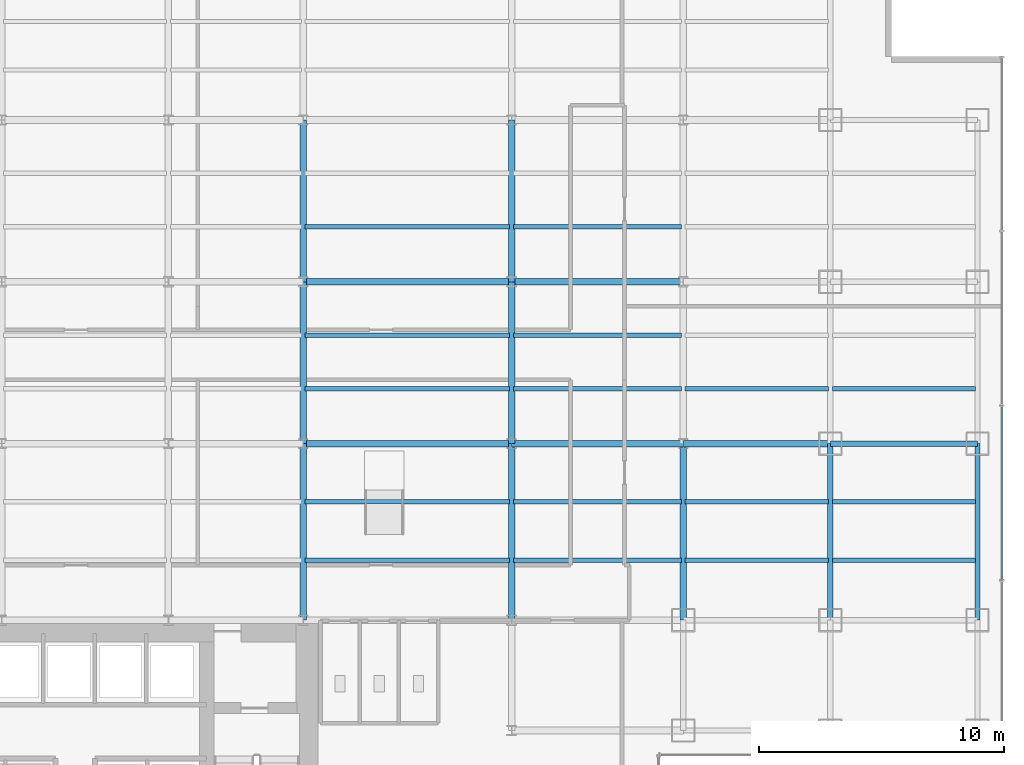
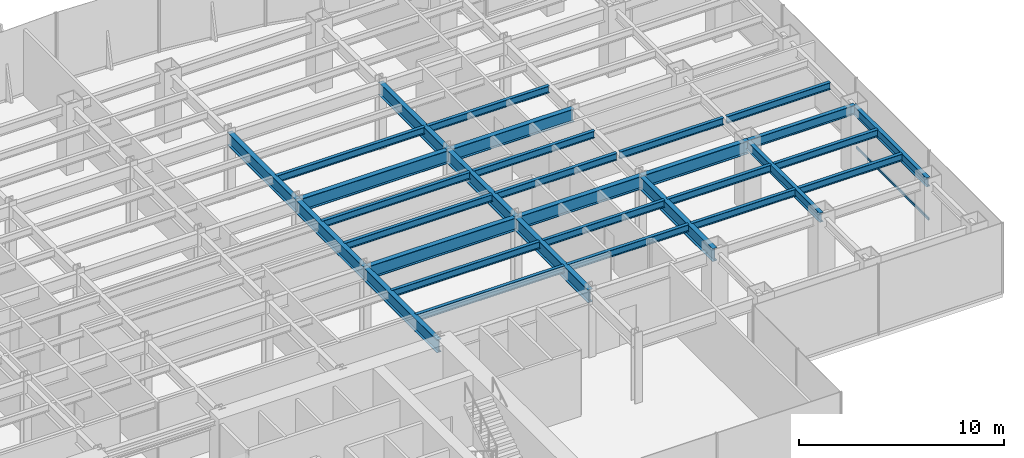
# One storey, part 12 of 35: 31 beams, 1 member, 1 element without a shape of its own.
"""IFC4 building model written with IfcOpenShell, lengths in metres."""

from ifc_helpers import new_model, si_unit, derived_unit, direction, frame, origin, origin_2d, place, context, subcontext, project, spatial, hollow_rectangle, i_section, extrude, source, transform, mapped, material, material_profile, profile_set, type_object, element, aggregate, save


model = new_model("IFC4")

# Units and contexts
model_context = context("Model", 3, precision=1e-05, world=origin(), true_north=direction((0.0, 1.0)))
body_context = subcontext(model_context, "Body", "Model", "MODEL_VIEW")
ifc_project = project(units=[si_unit("LENGTHUNIT", "METRE"), si_unit("AREAUNIT", "SQUARE_METRE"), si_unit("VOLUMEUNIT", "CUBIC_METRE"), si_unit("PLANEANGLEUNIT", "RADIAN"), si_unit("MASSUNIT", "GRAM", prefix="KILO"), derived_unit("THERMALTRANSMITTANCEUNIT", [(si_unit("POWERUNIT", "WATT"), 1), (si_unit("LENGTHUNIT", "METRE"), -2), (si_unit("THERMODYNAMICTEMPERATUREUNIT", "KELVIN"), -1)])], contexts=[model_context])

# Site, building, storey
site_placement = place(None, origin())
site = spatial("IfcSite", under=ifc_project, at=site_placement, CompositionType="ELEMENT")
building_placement = place(site_placement, origin())
building = spatial("IfcBuilding", under=site, at=building_placement, Name="Skarnbrae Concourse Arena and Tower", CompositionType="ELEMENT")
storey_placement = place(building_placement, frame((0.0, 0.0, 79.949951171875)))
storey = spatial("IfcBuildingStorey", under=building, at=storey_placement, Name="L19", CompositionType="ELEMENT", Elevation=79.949951171875)

# Beams
ifc_material_1 = material(Name="Steel CSA G40.21 350W", Category="steel")
ifc_material_profile_1 = material_profile(ifc_material_1, i_section(OverallWidth=0.26806640625, OverallDepth=0.77001953125, WebThickness=0.015625, FlangeThickness=0.025390625, at=origin_2d()), Name="W760X196")
ifc_profile_set_1 = profile_set([ifc_material_profile_1], Name="Steel CSA G40.21 350W")
beam_type_1 = type_object("IfcBeamType", Name="BM-GIRD-W760X196", PredefinedType="BEAM", material=ifc_profile_set_1)
shared_shape_1 = source(origin(), body_context, "Body", "SweptSolid", [
    extrude(i_section(OverallWidth=0.26806640625, OverallDepth=0.77001953125, WebThickness=0.015625, FlangeThickness=0.025390625, at=origin_2d()), origin(), (0.0, 0.0, 1.0), 7.0),
])
for number, where, z_axis, x_axis, name in (
    (1, (42.0, 21.199951171875, 3.51513671875), (1.0, 0.0, 0.0), (0.0, 1.0, 0.0), "L19 Primary E-W girder Y21.2-7"),
    (2, (42.0, 27.800048828125, 3.51513671875), (1.0, 0.0, 0.0), (0.0, 1.0, 0.0), "L19 Primary E-W girder Y27.8-7"),
):
    element("IfcBeam", number, at=place(storey_placement, frame(where, z_axis=z_axis, x_axis=x_axis)), inside=storey, type_object=beam_type_1, Name=name, PredefinedType="BEAM", context=body_context, shape_type="MappedRepresentation", body=[
        mapped(shared_shape_1, transform((0.0, 0.0, 0.0))),
    ])
ifc_material_profile_2 = material_profile(ifc_material_1, i_section(OverallWidth=0.214111328125, OverallDepth=0.549072265625, WebThickness=0.0146484375, FlangeThickness=0.023681640625, at=origin_2d()), Name="W530X138")
ifc_profile_set_2 = profile_set([ifc_material_profile_2], Name="Steel CSA G40.21 350W")
beam_type_2 = type_object("IfcBeamType", Name="BM-SPAN-W530X138", PredefinedType="SPANDREL", material=ifc_profile_set_2)
shared_shape_2 = source(origin(), body_context, "Body", "SweptSolid", [
    extrude(i_section(OverallWidth=0.214111328125, OverallDepth=0.549072265625, WebThickness=0.0146484375, FlangeThickness=0.023681640625, at=origin_2d()), origin(), (0.0, 0.0, 1.0), 6.0),
])
beam_1_placement = place(storey_placement, frame((55.0, 21.199951171875, 3.62548828125), z_axis=(1.0, 0.0, 0.0), x_axis=(0.0, 1.0, 0.0)))
element("IfcBeam", 3, at=beam_1_placement, inside=storey, type_object=beam_type_2, Name="L19 Perimeter spandrel Y21.2-9", PredefinedType="SPANDREL", context=body_context, shape_type="MappedRepresentation", body=[
    mapped(shared_shape_2, transform((0.0, 0.0, 0.0))),
])
shared_shape_3 = source(origin(), body_context, "Body", "SweptSolid", [
    extrude(i_section(OverallWidth=0.26806640625, OverallDepth=0.77001953125, WebThickness=0.015625, FlangeThickness=0.025390625, at=origin_2d()), origin(), (0.0, 0.0, 1.0), 6.60009765625),
])
for number, where, z_axis, x_axis, name in (
    (4, (33.5, 21.199951171875, 3.51513671875), (0.0, 1.0, 0.0), (-1.0, 0.0, 0.0), "L19 Primary N-S girder X33.5-2"),
    (5, (42.0, 21.199951171875, 3.51513671875), (0.0, 1.0, 0.0), (-1.0, 0.0, 0.0), "L19 Primary N-S girder X42.0-3"),
):
    element("IfcBeam", number, at=place(storey_placement, frame(where, z_axis=z_axis, x_axis=x_axis)), inside=storey, type_object=beam_type_1, Name=name, PredefinedType="BEAM", context=body_context, shape_type="MappedRepresentation", body=[
        mapped(shared_shape_3, transform((0.0, 0.0, 0.0))),
    ])
shared_shape_4 = source(origin(), body_context, "Body", "SweptSolid", [
    extrude(i_section(OverallWidth=0.26806640625, OverallDepth=0.77001953125, WebThickness=0.015625, FlangeThickness=0.025390625, at=origin_2d()), origin(), (0.0, 0.0, 1.0), 8.5),
])
for number, where, z_axis, x_axis, name in (
    (6, (33.5, 21.199951171875, 3.51513671875), (1.0, 0.0, 0.0), (0.0, 1.0, 0.0), "L19 Primary E-W girder Y21.2-6"),
    (7, (33.5, 27.800048828125, 3.51513671875), (1.0, 0.0, 0.0), (0.0, 1.0, 0.0), "L19 Primary E-W girder Y27.8-6"),
):
    element("IfcBeam", number, at=place(storey_placement, frame(where, z_axis=z_axis, x_axis=x_axis)), inside=storey, type_object=beam_type_1, Name=name, PredefinedType="BEAM", context=body_context, shape_type="MappedRepresentation", body=[
        mapped(shared_shape_4, transform((0.0, 0.0, 0.0))),
    ])
shared_shape_5 = source(origin(), body_context, "Body", "SweptSolid", [
    extrude(i_section(OverallWidth=0.26806640625, OverallDepth=0.77001953125, WebThickness=0.015625, FlangeThickness=0.025390625, at=origin_2d()), origin(), (0.0, 0.0, 1.0), 6.0),
])
beam_2_placement = place(storey_placement, frame((49.0, 21.199951171875, 3.51513671875), z_axis=(1.0, 0.0, 0.0), x_axis=(0.0, 1.0, 0.0)))
element("IfcBeam", 8, at=beam_2_placement, inside=storey, type_object=beam_type_1, Name="L19 Primary E-W girder Y21.2-8", PredefinedType="BEAM", context=body_context, shape_type="MappedRepresentation", body=[
    mapped(shared_shape_5, transform((0.0, 0.0, 0.0))),
])
shared_shape_6 = source(origin(), body_context, "Body", "SweptSolid", [
    extrude(i_section(OverallWidth=0.214111328125, OverallDepth=0.549072265625, WebThickness=0.0146484375, FlangeThickness=0.023681640625, at=origin_2d()), origin(), (0.0, 0.0, 1.0), 7.199951171875),
])
for number, where, z_axis, x_axis, name in (
    (9, (55.0, 14.0, 3.62548828125), (0.0, 1.0, 0.0), (-1.0, 0.0, 0.0), "L19 Perimeter spandrel X55.0-2"),
    (10, (61.0, 14.0, 3.62548828125), (0.0, 1.0, 0.0), (-1.0, 0.0, 0.0), "L19 Perimeter spandrel X61.0-2"),
):
    element("IfcBeam", number, at=place(storey_placement, frame(where, z_axis=z_axis, x_axis=x_axis)), inside=storey, type_object=beam_type_2, Name=name, PredefinedType="SPANDREL", context=body_context, shape_type="MappedRepresentation", body=[
        mapped(shared_shape_6, transform((0.0, 0.0, 0.0))),
    ])
shared_shape_7 = source(origin(), body_context, "Body", "SweptSolid", [
    extrude(i_section(OverallWidth=0.26806640625, OverallDepth=0.77001953125, WebThickness=0.015625, FlangeThickness=0.025390625, at=origin_2d()), origin(), (0.0, 0.0, 1.0), 7.199951171875),
])
for number, where, z_axis, x_axis, name in (
    (11, (33.5, 14.0, 3.51513671875), (0.0, 1.0, 0.0), (-1.0, 0.0, 0.0), "L19 Primary N-S girder X33.5-1"),
    (12, (42.0, 14.0, 3.51513671875), (0.0, 1.0, 0.0), (-1.0, 0.0, 0.0), "L19 Primary N-S girder X42.0-2"),
    (13, (49.0, 14.0, 3.51513671875), (0.0, 1.0, 0.0), (-1.0, 0.0, 0.0), "L19 Primary N-S girder X49.0-2"),
):
    element("IfcBeam", number, at=place(storey_placement, frame(where, z_axis=z_axis, x_axis=x_axis)), inside=storey, type_object=beam_type_1, Name=name, PredefinedType="BEAM", context=body_context, shape_type="MappedRepresentation", body=[
        mapped(shared_shape_7, transform((0.0, 0.0, 0.0))),
    ])
shared_shape_8 = source(origin(), body_context, "Body", "SweptSolid", [
    extrude(i_section(OverallWidth=0.26806640625, OverallDepth=0.77001953125, WebThickness=0.015625, FlangeThickness=0.025390625, at=origin_2d()), origin(), (0.0, 0.0, 1.0), 6.599853515625),
])
for number, where, z_axis, x_axis, name in (
    (14, (33.5, 27.800048828125, 3.51513671875), (0.0, 1.0, 0.0), (-1.0, 0.0, 0.0), "L19 Primary N-S girder X33.5-3"),
    (15, (42.0, 27.800048828125, 3.51513671875), (0.0, 1.0, 0.0), (-1.0, 0.0, 0.0), "L19 Primary N-S girder X42.0-4"),
):
    element("IfcBeam", number, at=place(storey_placement, frame(where, z_axis=z_axis, x_axis=x_axis)), inside=storey, type_object=beam_type_1, Name=name, PredefinedType="BEAM", context=body_context, shape_type="MappedRepresentation", body=[
        mapped(shared_shape_8, transform((0.0, 0.0, 0.0))),
    ])
ifc_material_profile_3 = material_profile(ifc_material_1, i_section(OverallWidth=0.180908203125, OverallDepth=0.4169921875, WebThickness=0.010986328125, FlangeThickness=0.018310546875, at=origin_2d()), Name="W410X85")
ifc_profile_set_3 = profile_set([ifc_material_profile_3], Name="Steel CSA G40.21 350W")
beam_type_3 = type_object("IfcBeamType", Name="BM-JOIST-W410X85", PredefinedType="JOIST", material=ifc_profile_set_3)
shared_shape_9 = source(origin(), body_context, "Body", "SweptSolid", [
    extrude(i_section(OverallWidth=0.180908203125, OverallDepth=0.4169921875, WebThickness=0.010986328125, FlangeThickness=0.018310546875, at=origin_2d()), origin(), (0.0, 0.0, 1.0), 8.33984375),
])
for number, where, z_axis, x_axis, name in (
    (16, (33.580078125, 16.447998046875, 3.691650390625), (1.0, 0.0, 0.0), (0.0, 1.0, 0.0), "L19 Secondary floor joist 1.1.6"),
    (17, (33.580078125, 18.823974609375, 3.691650390625), (1.0, 0.0, 0.0), (0.0, 1.0, 0.0), "L19 Secondary floor joist 1.2.6"),
    (18, (33.580078125, 23.444091796875, 3.691650390625), (1.0, 0.0, 0.0), (0.0, 1.0, 0.0), "L19 Secondary floor joist 2.1.6"),
    (19, (33.580078125, 25.6220703125, 3.691650390625), (1.0, 0.0, 0.0), (0.0, 1.0, 0.0), "L19 Secondary floor joist 2.2.6"),
    (20, (33.580078125, 30.0439453125, 3.691650390625), (1.0, 0.0, 0.0), (0.0, 1.0, 0.0), "L19 Secondary floor joist 3.1.6"),
):
    element("IfcBeam", number, at=place(storey_placement, frame(where, z_axis=z_axis, x_axis=x_axis)), inside=storey, type_object=beam_type_3, Name=name, PredefinedType="JOIST", context=body_context, shape_type="MappedRepresentation", body=[
        mapped(shared_shape_9, transform((0.0, 0.0, 0.0))),
    ])
shared_shape_10 = source(origin(), body_context, "Body", "SweptSolid", [
    extrude(i_section(OverallWidth=0.180908203125, OverallDepth=0.4169921875, WebThickness=0.010986328125, FlangeThickness=0.018310546875, at=origin_2d()), origin(), (0.0, 0.0, 1.0), 6.83984375),
])
for number, where, z_axis, x_axis, name in (
    (21, (42.080078125, 16.447998046875, 3.691650390625), (1.0, 0.0, 0.0), (0.0, 1.0, 0.0), "L19 Secondary floor joist 1.1.7"),
    (22, (42.080078125, 18.823974609375, 3.691650390625), (1.0, 0.0, 0.0), (0.0, 1.0, 0.0), "L19 Secondary floor joist 1.2.7"),
    (23, (42.080078125, 23.444091796875, 3.691650390625), (1.0, 0.0, 0.0), (0.0, 1.0, 0.0), "L19 Secondary floor joist 2.1.7"),
    (24, (42.080078125, 25.6220703125, 3.691650390625), (1.0, 0.0, 0.0), (0.0, 1.0, 0.0), "L19 Secondary floor joist 2.2.7"),
    (25, (42.080078125, 30.0439453125, 3.691650390625), (1.0, 0.0, 0.0), (0.0, 1.0, 0.0), "L19 Secondary floor joist 3.1.7"),
):
    element("IfcBeam", number, at=place(storey_placement, frame(where, z_axis=z_axis, x_axis=x_axis)), inside=storey, type_object=beam_type_3, Name=name, PredefinedType="JOIST", context=body_context, shape_type="MappedRepresentation", body=[
        mapped(shared_shape_10, transform((0.0, 0.0, 0.0))),
    ])
shared_shape_11 = source(origin(), body_context, "Body", "SweptSolid", [
    extrude(i_section(OverallWidth=0.180908203125, OverallDepth=0.4169921875, WebThickness=0.010986328125, FlangeThickness=0.018310546875, at=origin_2d()), origin(), (0.0, 0.0, 1.0), 5.83984375),
])
for number, where, z_axis, x_axis, name in (
    (26, (49.080078125, 16.447998046875, 3.691650390625), (1.0, 0.0, 0.0), (0.0, 1.0, 0.0), "L19 Secondary floor joist 1.1.8"),
    (27, (55.080078125, 16.447998046875, 3.691650390625), (1.0, 0.0, 0.0), (0.0, 1.0, 0.0), "L19 Secondary floor joist 1.1.9"),
    (28, (49.080078125, 18.823974609375, 3.691650390625), (1.0, 0.0, 0.0), (0.0, 1.0, 0.0), "L19 Secondary floor joist 1.2.8"),
    (29, (55.080078125, 18.823974609375, 3.691650390625), (1.0, 0.0, 0.0), (0.0, 1.0, 0.0), "L19 Secondary floor joist 1.2.9"),
    (30, (49.080078125, 23.444091796875, 3.691650390625), (1.0, 0.0, 0.0), (0.0, 1.0, 0.0), "L19 Secondary floor joist 2.1.8"),
    (31, (55.080078125, 23.444091796875, 3.691650390625), (1.0, 0.0, 0.0), (0.0, 1.0, 0.0), "L19 Secondary floor joist 2.1.9"),
):
    element("IfcBeam", number, at=place(storey_placement, frame(where, z_axis=z_axis, x_axis=x_axis)), inside=storey, type_object=beam_type_3, Name=name, PredefinedType="JOIST", context=body_context, shape_type="MappedRepresentation", body=[
        mapped(shared_shape_11, transform((0.0, 0.0, 0.0))),
    ])

# Curtain wall, member
ifc_material_2 = material(Name="Bronze anodised aluminium 6063-T6", Category="aluminium")
curtain_wall_type = type_object("IfcCurtainWallType", Name="CW-SYS-06-SKYLOBBY", PredefinedType="USERDEFINED", material=ifc_material_2)
curtain_wall_placement = place(storey_placement, origin())
curtain_wall = element("IfcCurtainWall", 32, at=curtain_wall_placement, inside=storey, type_object=curtain_wall_type, Name="L19 Unitised curtain wall CW-L19-E04", ObjectType="UNITISED CURTAIN WALL", PredefinedType="USERDEFINED")
ifc_material_profile_4 = material_profile(ifc_material_2, hollow_rectangle(XDim=0.070068359375, YDim=0.135009765625, WallThickness=0.00390625, at=origin_2d()), Name="ALU-TRAN-70X135")
ifc_profile_set_4 = profile_set([ifc_material_profile_4], Name="Bronze anodised aluminium 6063-T6")
member_type = type_object("IfcMemberType", Name="CWT-CW-06", PredefinedType="USERDEFINED", material=ifc_profile_set_4)
shared_shape_12 = source(origin(), body_context, "Body", "SweptSolid", [
    extrude(hollow_rectangle(XDim=0.070068359375, YDim=0.135009765625, WallThickness=0.00390625, at=origin_2d()), origin(), (0.0, 0.0, 1.0), 7.05517578125),
])
member_placement = place(storey_placement, frame((62.0, 15.659912109375, 0.067626953125), z_axis=(0.0, 1.0, 0.0), x_axis=(-1.0, 0.0, 0.0)))
member = element("IfcMember", 33, at=member_placement, type_object=member_type, Name="CW-L19-E04 Transom 2", ObjectType="TRANSOM", PredefinedType="USERDEFINED", context=body_context, shape_type="MappedRepresentation", body=[
    mapped(shared_shape_12, transform((0.0, 0.0, 0.0))),
])
aggregate(curtain_wall, [member])

save(model, "model.ifc")
